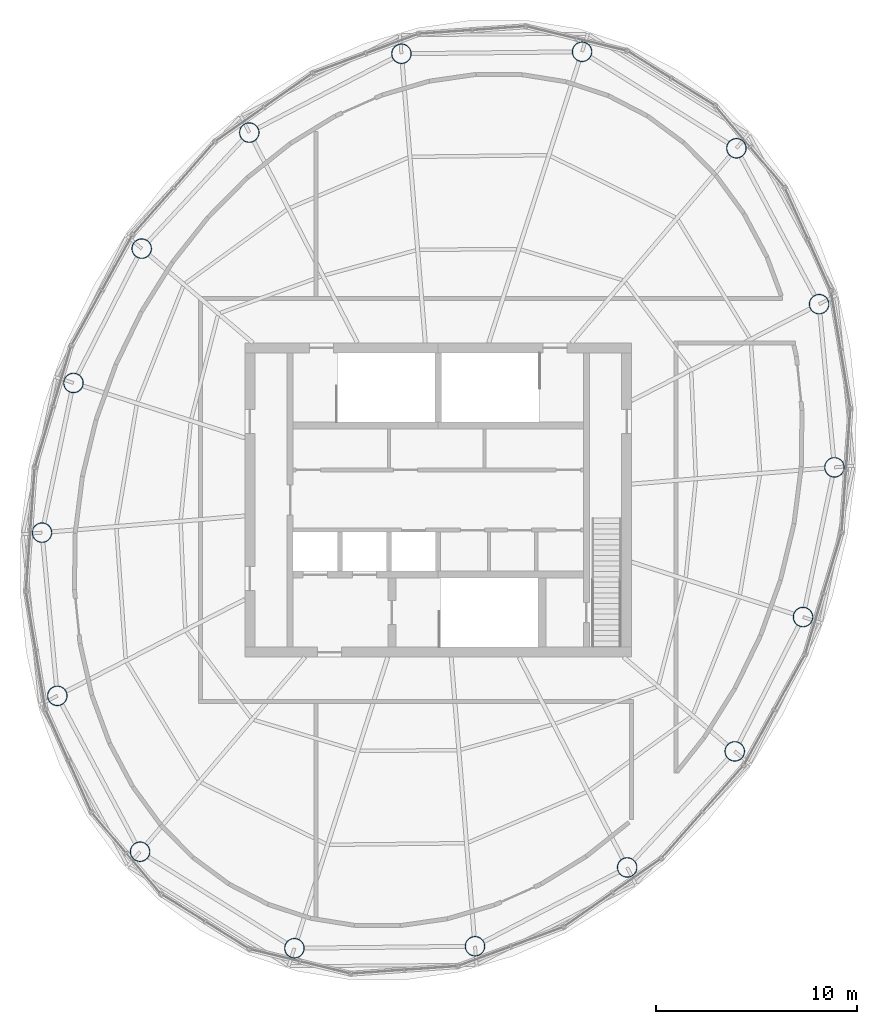
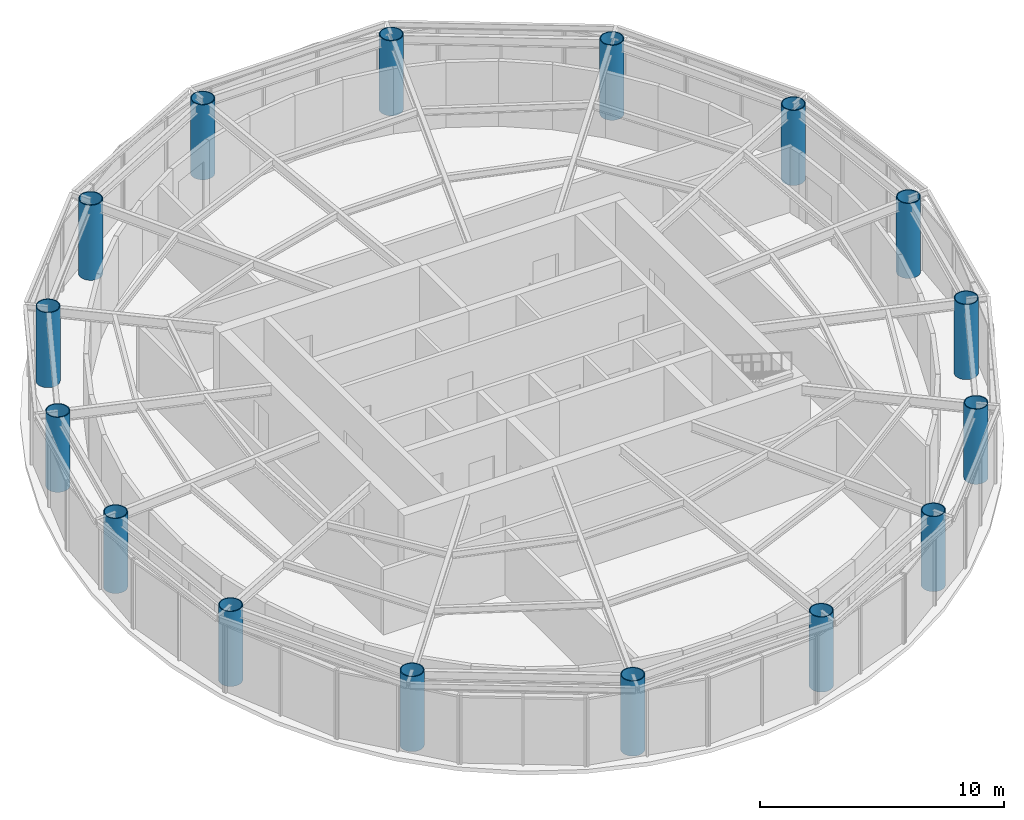
# One storey, part 1 of 11: 16 columns.
"""IFC4 building model written with IfcOpenShell, lengths in metres."""

from ifc_helpers import new_model, si_unit, direction, frame, origin, origin_2d, place, context, subcontext, project, spatial, hollow_circle, extrude, material, material_profile, profile_set, type_object, element, save


model = new_model("IFC4")

# Units and contexts
model_context = context("Model", 3, precision=1e-05, world=origin(), true_north=direction((0.0, 1.0)))
body_context = subcontext(model_context, "Body", "Model", "MODEL_VIEW")
ifc_project = project(units=[si_unit("LENGTHUNIT", "METRE"), si_unit("AREAUNIT", "SQUARE_METRE"), si_unit("VOLUMEUNIT", "CUBIC_METRE"), si_unit("PLANEANGLEUNIT", "RADIAN"), si_unit("MASSUNIT", "GRAM", prefix="KILO")], contexts=[model_context])

# Site, building, storey
site_placement = place(None, origin())
site = spatial("IfcSite", under=ifc_project, at=site_placement, CompositionType="ELEMENT")
building_placement = place(site_placement, origin())
building = spatial("IfcBuilding", under=site, at=building_placement, Name="Vermilion Reach Broadcast Tower", CompositionType="ELEMENT")
storey_placement = place(building_placement, frame((0.0, 0.0, 325.5)))
storey = spatial("IfcBuildingStorey", under=building, at=storey_placement, Name="L81 CROWN", CompositionType="ELEMENT", Elevation=325.5)

# Columns
ifc_material = material(Name="Concrete C60 infill in steel S460NL tube", Category="concrete")
ifc_material_profile = material_profile(ifc_material, hollow_circle(Radius=0.5, WallThickness=0.0400390625, at=origin_2d()), Name="Concrete C60 infill in steel S460NL tube CFT 1000x40")
ifc_profile_set = profile_set([ifc_material_profile], Name="Concrete C60 infill in steel S460NL tube")
column_type = type_object("IfcColumnType", Name="MC5 CFT 1000x40", PredefinedType="COLUMN", material=ifc_profile_set)
for number, where, z_axis, x_axis, name in (
    (1, (1.138427734375, 22.2470703125, 0.0), (0.0, 0.0, 1.0), (1.0, 0.0, 0.0), "Mega-column MC5-01"),
    (2, (-7.824951171875, 22.1494140625, 0.0), (0.0, 0.0, 1.0), (1.0, 0.0, 0.0), "Mega-column MC5-02"),
    (3, (-15.376953125, 18.23779296875, 0.0), (0.0, 0.0, 1.0), (1.0, 0.0, 0.0), "Mega-column MC5-03"),
    (4, (-20.717529296875, 12.476806640625, 0.0), (0.0, 0.0, 1.0), (1.0, 0.0, 0.0), "Mega-column MC5-04"),
    (5, (-24.10595703125, 5.809814453125, 0.0), (0.0, 0.0, 1.0), (1.0, 0.0, 0.0), "Mega-column MC5-05"),
    (6, (-25.665771484375, -1.620361328125, 0.0), (0.0, 0.0, 1.0), (1.0, 0.0, 0.0), "Mega-column MC5-06"),
    (7, (-24.905517578125, -9.72021484375, 0.0), (0.0, 0.0, 1.0), (1.0, 0.0, 0.0), "Mega-column MC5-07"),
    (8, (-20.799560546875, -17.457275390625, 0.0), (0.0, 0.0, 1.0), (1.0, 0.0, 0.0), "Mega-column MC5-08"),
    (9, (-13.138427734375, -22.2470703125, 0.0), (0.0, 0.0, 1.0), (1.0, 0.0, 0.0), "Mega-column MC5-09"),
    (10, (-4.175048828125, -22.1494140625, 0.0), (0.0, 0.0, 1.0), (1.0, 0.0, 0.0), "Mega-column MC5-10"),
    (11, (3.376953125, -18.23779296875, 0.0), (0.0, 0.0, 1.0), (1.0, 0.0, 0.0), "Mega-column MC5-11"),
    (12, (8.717529296875, -12.476806640625, 0.0), (0.0, 0.0, 1.0), (1.0, 0.0, 0.0), "Mega-column MC5-12"),
    (13, (12.10595703125, -5.809814453125, 0.0), (0.0, 0.0, 1.0), (1.0, 0.0, 0.0), "Mega-column MC5-13"),
    (14, (13.665771484375, 1.620361328125, 0.0), (0.0, 0.0, 1.0), (1.0, 0.0, 0.0), "Mega-column MC5-14"),
    (15, (12.905517578125, 9.72021484375, 0.0), (0.0, 0.0, 1.0), (1.0, 0.0, 0.0), "Mega-column MC5-15"),
    (16, (8.799560546875, 17.457275390625, 0.0), (0.0, 0.0, 1.0), (1.0, 0.0, 0.0), "Mega-column MC5-16"),
):
    element("IfcColumn", number, at=place(storey_placement, frame(where, z_axis=z_axis, x_axis=x_axis)), inside=storey, type_object=column_type, Name=name, PredefinedType="COLUMN", context=body_context, shape_type="SweptSolid", body=[
        extrude(hollow_circle(Radius=0.5, WallThickness=0.0400390625, at=origin_2d()), origin(), (0.0, 0.0, 1.0), 3.75),
    ])

save(model, "model.ifc")
